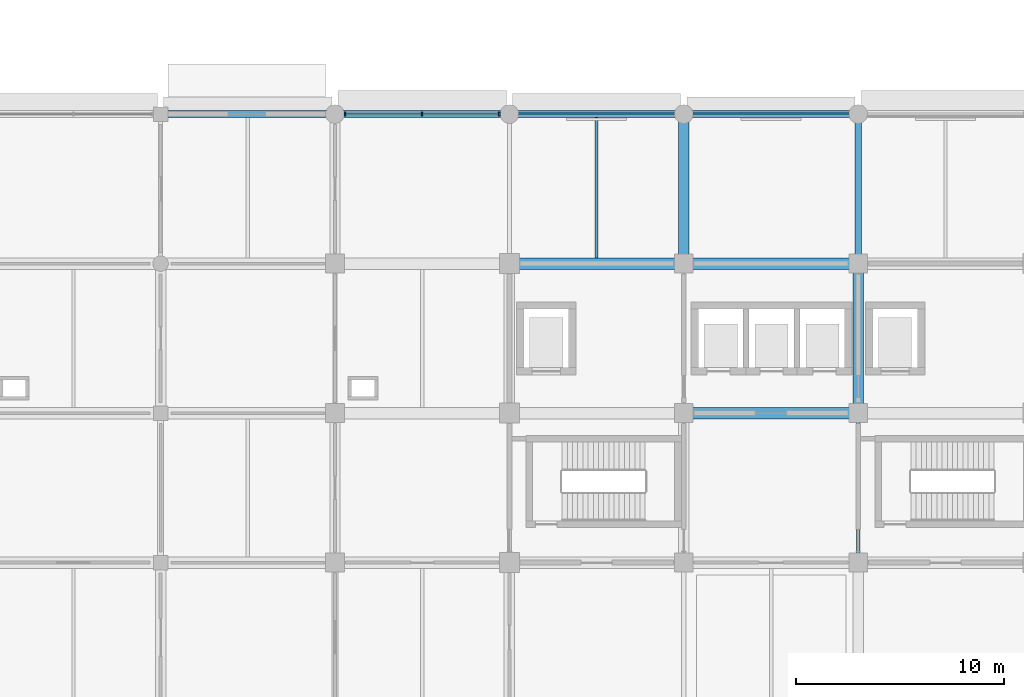
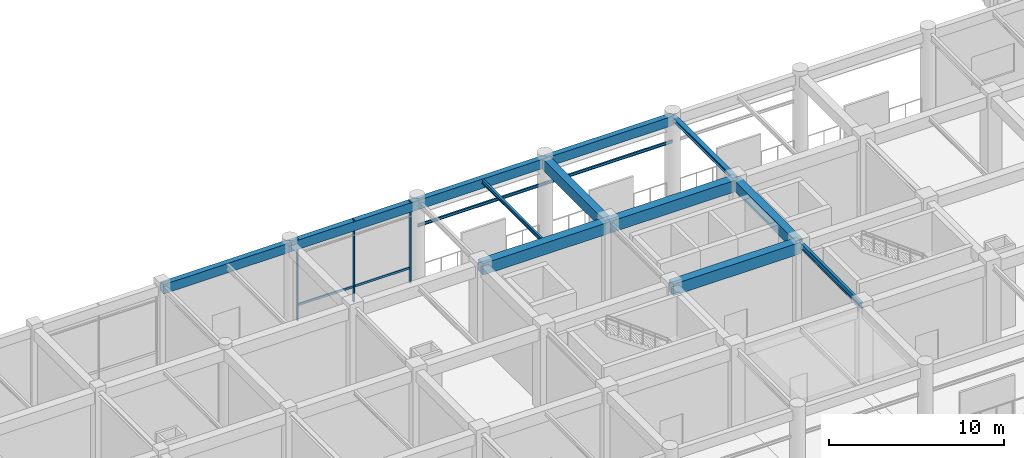
# One storey, part 7 of 39: 14 beams, 5 members, 1 element without a shape of its own.
"""IFC4 building model written with IfcOpenShell, lengths in metres."""

from ifc_helpers import new_model, si_unit, derived_unit, direction, frame, origin, origin_2d, place, context, subcontext, project, spatial, rectangle, i_section, extrude, material, material_profile, profile_set, type_object, element, aggregate, save


model = new_model("IFC4")

# Units and contexts
model_context = context("Model", 3, precision=1e-05, world=origin(), true_north=direction((0.0, 1.0)))
body_context = subcontext(model_context, "Body", "Model", "MODEL_VIEW")
ifc_project = project(units=[si_unit("LENGTHUNIT", "METRE"), si_unit("AREAUNIT", "SQUARE_METRE"), si_unit("VOLUMEUNIT", "CUBIC_METRE"), si_unit("PLANEANGLEUNIT", "RADIAN"), si_unit("MASSUNIT", "GRAM", prefix="KILO"), derived_unit("THERMALTRANSMITTANCEUNIT", [(si_unit("MASSUNIT", "GRAM", prefix="KILO"), 1), (si_unit("TIMEUNIT", "SECOND"), -3), (si_unit("THERMODYNAMICTEMPERATUREUNIT", "KELVIN"), -1)])], contexts=[model_context])

# Site, building, storey
site_placement = place(None, origin())
site = spatial("IfcSite", under=ifc_project, at=site_placement, CompositionType="ELEMENT")
building_placement = place(site_placement, origin())
building = spatial("IfcBuilding", under=site, at=building_placement, Name="Veldstrom Oceanarium and Marine Research Institute", CompositionType="ELEMENT")
storey_placement = place(building_placement, origin())
storey = spatial("IfcBuildingStorey", under=building, at=storey_placement, Name="L00", CompositionType="ELEMENT", Elevation=0.0)

# Curtain wall, members
ifc_material_1 = material(Name="Anodised Aluminium Framing", Category="aluminium")
curtain_wall_type = type_object("IfcCurtainWallType", Name="ARC-CW-CW01", PredefinedType="USERDEFINED", material=ifc_material_1)
curtain_wall_placement = place(storey_placement, origin())
curtain_wall = element("IfcCurtainWall", 1, at=curtain_wall_placement, inside=storey, type_object=curtain_wall_type, Name="Curtain Wall CW01 CW-L00-002", ObjectType="Curtain wall", PredefinedType="USERDEFINED")
ifc_material_2 = material(Name="Anodised Aluminium Framing", Category="aluminium")
ifc_material_profile_1 = material_profile(ifc_material_2, rectangle(XDim=0.074951171875, YDim=0.179931640625, at=origin_2d()), Name="ALU-MUL-75x180")
ifc_profile_set_1 = profile_set([ifc_material_profile_1], Name="Anodised Aluminium Framing")
member_type_1 = type_object("IfcMemberType", Name="ARC-MUL-ML1", PredefinedType="MULLION", material=ifc_profile_set_1)
member_1_placement = place(storey_placement, frame((67.68994140625, 72.0, 0.0), z_axis=(0.0, 0.0, 1.0), x_axis=(1.0, 0.0, 0.0)))
member_1 = element("IfcMember", 2, at=member_1_placement, type_object=member_type_1, Name="Curtain Wall Mullion CW-L00-002-MUL-1", PredefinedType="MULLION", context=body_context, shape_type="SweptSolid", body=[
    extrude(rectangle(XDim=0.074951171875, YDim=0.179931640625, at=origin_2d()), origin(), (0.0, 0.0, 1.0), 5.675048828125),
])
member_2_placement = place(storey_placement, frame((71.39990234375, 72.0, 0.0), z_axis=(0.0, 0.0, 1.0), x_axis=(1.0, 0.0, 0.0)))
member_2 = element("IfcMember", 3, at=member_2_placement, type_object=member_type_1, Name="Curtain Wall Mullion CW-L00-002-MUL-2", PredefinedType="MULLION", context=body_context, shape_type="SweptSolid", body=[
    extrude(rectangle(XDim=0.074951171875, YDim=0.179931640625, at=origin_2d()), origin(), (0.0, 0.0, 1.0), 5.675048828125),
])
member_3_placement = place(storey_placement, frame((75.110107421875, 72.0, 0.0), z_axis=(0.0, 0.0, 1.0), x_axis=(1.0, 0.0, 0.0)))
member_3 = element("IfcMember", 4, at=member_3_placement, type_object=member_type_1, Name="Curtain Wall Mullion CW-L00-002-MUL-3", PredefinedType="MULLION", context=body_context, shape_type="SweptSolid", body=[
    extrude(rectangle(XDim=0.074951171875, YDim=0.179931640625, at=origin_2d()), origin(), (0.0, 0.0, 1.0), 5.675048828125),
])
ifc_material_3 = material(Name="Anodised Aluminium Framing", Category="aluminium")
ifc_material_profile_2 = material_profile(ifc_material_3, rectangle(XDim=0.074951171875, YDim=0.14990234375, at=origin_2d()), Name="ALU-TRN-75x150")
ifc_profile_set_2 = profile_set([ifc_material_profile_2], Name="Anodised Aluminium Framing")
member_type_2 = type_object("IfcMemberType", Name="ARC-TRN-TR1", PredefinedType="USERDEFINED", material=ifc_profile_set_2)
member_4_placement = place(storey_placement, frame((67.72998046875, 72.0, 1.050048828125), z_axis=(1.0, 0.0, 0.0), x_axis=(0.0, 1.0, 0.0)))
member_4 = element("IfcMember", 5, at=member_4_placement, type_object=member_type_2, Name="Curtain Wall Transom CW-L00-002-TRN-1", ObjectType="Transom", PredefinedType="USERDEFINED", context=body_context, shape_type="SweptSolid", body=[
    extrude(rectangle(XDim=0.074951171875, YDim=0.14990234375, at=origin_2d()), origin(), (0.0, 0.0, 1.0), 3.630126953125),
])
member_5_placement = place(storey_placement, frame((71.43994140625, 72.0, 1.050048828125), z_axis=(1.0, 0.0, 0.0), x_axis=(0.0, 1.0, 0.0)))
member_5 = element("IfcMember", 6, at=member_5_placement, type_object=member_type_2, Name="Curtain Wall Transom CW-L00-002-TRN-2", ObjectType="Transom", PredefinedType="USERDEFINED", context=body_context, shape_type="SweptSolid", body=[
    extrude(rectangle(XDim=0.074951171875, YDim=0.14990234375, at=origin_2d()), origin(), (0.0, 0.0, 1.0), 3.630126953125),
])
aggregate(curtain_wall, [member_1, member_2, member_3, member_4, member_5])

# Beams
ifc_material_4 = material(Name="Concrete C40/50", Category="concrete")
ifc_material_profile_3 = material_profile(ifc_material_4, rectangle(XDim=0.550048828125, YDim=0.800048828125, at=origin_2d()), Name="RC-BM-550x800")
ifc_profile_set_3 = profile_set([ifc_material_profile_3], Name="Concrete C40/50")
beam_type_1 = type_object("IfcBeamType", Name="STR-BM-B02", PredefinedType="BEAM", material=ifc_profile_set_3)
for number, where, z_axis, x_axis, name in (
    (7, (75.60009765625, 64.800048828125, 5.27001953125), (1.0, 0.0, 0.0), (0.0, 1.0, 0.0), "Primary Beam B02 L00-0805"),
    (8, (84.0, 57.60009765625, 5.27001953125), (1.0, 0.0, 0.0), (0.0, 1.0, 0.0), "Primary Beam B02 L00-0809"),
    (9, (84.0, 64.800048828125, 5.27001953125), (1.0, 0.0, 0.0), (0.0, 1.0, 0.0), "Primary Beam B02 L00-0810"),
):
    element("IfcBeam", number, at=place(storey_placement, frame(where, z_axis=z_axis, x_axis=x_axis)), inside=storey, type_object=beam_type_1, Name=name, PredefinedType="BEAM", context=body_context, shape_type="SweptSolid", body=[
        extrude(rectangle(XDim=0.550048828125, YDim=0.800048828125, at=origin_2d()), origin(), (0.0, 0.0, 1.0), 8.39990234375),
    ])
ifc_material_5 = material(Name="Concrete C40/50", Category="concrete")
ifc_material_profile_4 = material_profile(ifc_material_5, rectangle(XDim=0.5, YDim=0.75, at=origin_2d()), Name="RC-BM-500x750")
ifc_profile_set_4 = profile_set([ifc_material_profile_4], Name="Concrete C40/50")
beam_type_2 = type_object("IfcBeamType", Name="STR-BM-B03", PredefinedType="BEAM", material=ifc_profile_set_4)
for number, where, z_axis, x_axis, name in (
    (10, (84.0, 64.800048828125, 5.294921875), (0.0, 1.0, 0.0), (-1.0, 0.0, 0.0), "Primary Beam B03 L00-0982"),
    (11, (92.39990234375, 57.60009765625, 5.294921875), (0.0, 1.0, 0.0), (-1.0, 0.0, 0.0), "Primary Beam B03 L00-0985"),
):
    element("IfcBeam", number, at=place(storey_placement, frame(where, z_axis=z_axis, x_axis=x_axis)), inside=storey, type_object=beam_type_2, Name=name, PredefinedType="BEAM", context=body_context, shape_type="SweptSolid", body=[
        extrude(rectangle(XDim=0.5, YDim=0.75, at=origin_2d()), origin(), (0.0, 0.0, 1.0), 7.199951171875),
    ])
ifc_material_6 = material(Name="Steel S355JR", Category="steel")
ifc_material_profile_5 = material_profile(ifc_material_6, i_section(OverallWidth=0.300048828125, OverallDepth=0.2900390625, WebThickness=0.008544921875, FlangeThickness=0.013916015625, FilletRadius=0.027099609375, at=origin_2d()), Name="HEA 300")
ifc_profile_set_5 = profile_set([ifc_material_profile_5], Name="Steel S355JR")
beam_type_3 = type_object("IfcBeamType", Name="STR-BM-SB10", PredefinedType="BEAM", material=ifc_profile_set_5)
beam_1_placement = place(storey_placement, frame((92.39990234375, 64.800048828125, 5.52490234375), z_axis=(0.0, 1.0, 0.0), x_axis=(-1.0, 0.0, 0.0)))
element("IfcBeam", 12, at=beam_1_placement, inside=storey, type_object=beam_type_3, Name="Steel Tie Beam SB10 L00-0986", PredefinedType="BEAM", context=body_context, shape_type="SweptSolid", body=[
    extrude(i_section(OverallWidth=0.300048828125, OverallDepth=0.2900390625, WebThickness=0.008544921875, FlangeThickness=0.013916015625, FilletRadius=0.027099609375, at=origin_2d()), origin(), (0.0, 0.0, 1.0), 7.199951171875),
])
ifc_material_7 = material(Name="Steel S355JR", Category="steel")
ifc_material_profile_6 = material_profile(ifc_material_7, i_section(OverallWidth=0.179931640625, OverallDepth=0.39990234375, WebThickness=0.008544921875, FlangeThickness=0.013427734375, FilletRadius=0.02099609375, at=origin_2d()), Name="IPE 400")
ifc_profile_set_6 = profile_set([ifc_material_profile_6], Name="Steel S355JR")
beam_type_4 = type_object("IfcBeamType", Name="STR-BM-SB8", PredefinedType="BEAM", material=ifc_profile_set_6)
beam_2_placement = place(storey_placement, frame((92.39990234375, 50.39990234375, 5.469970703125), z_axis=(0.0, 1.0, 0.0), x_axis=(-1.0, 0.0, 0.0)))
element("IfcBeam", 13, at=beam_2_placement, inside=storey, type_object=beam_type_4, Name="Steel Tie Beam SB8 L00-0984", PredefinedType="BEAM", context=body_context, shape_type="SweptSolid", body=[
    extrude(i_section(OverallWidth=0.179931640625, OverallDepth=0.39990234375, WebThickness=0.008544921875, FlangeThickness=0.013427734375, FilletRadius=0.02099609375, at=origin_2d()), origin(), (0.0, 0.0, 1.0), 7.2001953125),
])
ifc_material_8 = material(Name="Steel S355JR", Category="steel")
ifc_material_profile_7 = material_profile(ifc_material_8, i_section(OverallWidth=0.135009765625, OverallDepth=0.27001953125, WebThickness=0.006591796875, FlangeThickness=0.01025390625, FilletRadius=0.014892578125, at=origin_2d()), Name="IPE 270")
ifc_profile_set_7 = profile_set([ifc_material_profile_7], Name="Steel S355JR")
beam_type_5 = type_object("IfcBeamType", Name="STR-JST-SJ3", PredefinedType="JOIST", material=ifc_profile_set_7)
beam_3_placement = place(storey_placement, frame((79.800048828125, 65.074951171875, 5.534912109375), z_axis=(0.0, 1.0, 0.0), x_axis=(-1.0, 0.0, 0.0)))
element("IfcBeam", 14, at=beam_3_placement, inside=storey, type_object=beam_type_5, Name="Secondary Joist SJ3 L00-1098", PredefinedType="JOIST", context=body_context, shape_type="SweptSolid", body=[
    extrude(i_section(OverallWidth=0.135009765625, OverallDepth=0.27001953125, WebThickness=0.006591796875, FlangeThickness=0.01025390625, FilletRadius=0.014892578125, at=origin_2d()), origin(), (0.0, 0.0, 1.0), 6.75),
])
ifc_material_9 = material(Name="Steel S355JR", Category="steel")
ifc_material_profile_8 = material_profile(ifc_material_9, i_section(OverallWidth=0.10009765625, OverallDepth=0.199951171875, WebThickness=0.005615234375, FlangeThickness=0.008544921875, FilletRadius=0.011962890625, at=origin_2d()), Name="IPE 200")
ifc_profile_set_8 = profile_set([ifc_material_profile_8], Name="Steel S355JR")
beam_type_6 = type_object("IfcBeamType", Name="STR-LNT-LN3", PredefinedType="LINTEL", material=ifc_profile_set_8)
for number, where, z_axis, x_axis, name in (
    (15, (75.60009765625, 72.0, 3.800048828125), (1.0, 0.0, 0.0), (0.0, 1.0, 0.0), "Portal Lintel LN3-08"),
    (16, (84.0, 72.0, 3.800048828125), (1.0, 0.0, 0.0), (0.0, 1.0, 0.0), "Portal Lintel LN3-09"),
):
    element("IfcBeam", number, at=place(storey_placement, frame(where, z_axis=z_axis, x_axis=x_axis)), inside=storey, type_object=beam_type_6, Name=name, PredefinedType="LINTEL", context=body_context, shape_type="SweptSolid", body=[
        extrude(i_section(OverallWidth=0.10009765625, OverallDepth=0.199951171875, WebThickness=0.005615234375, FlangeThickness=0.008544921875, FilletRadius=0.011962890625, at=origin_2d()), origin(), (0.0, 0.0, 1.0), 8.39990234375),
    ])
ifc_material_10 = material(Name="Concrete C40/50", Category="concrete")
ifc_material_profile_9 = material_profile(ifc_material_10, rectangle(XDim=0.35009765625, YDim=0.64990234375, at=origin_2d()), Name="RC-SPN-350x650")
ifc_profile_set_9 = profile_set([ifc_material_profile_9], Name="Concrete C40/50")
beam_type_7 = type_object("IfcBeamType", Name="STR-SPN-SP1", PredefinedType="SPANDREL", material=ifc_profile_set_9)
beam_4_placement = place(storey_placement, frame((58.800048828125, 72.0, 5.344970703125), z_axis=(1.0, 0.0, 0.0), x_axis=(0.0, 1.0, 0.0)))
element("IfcBeam", 17, at=beam_4_placement, inside=storey, type_object=beam_type_7, Name="Perimeter Spandrel SPB1 L00-0796", PredefinedType="SPANDREL", context=body_context, shape_type="SweptSolid", body=[
    extrude(rectangle(XDim=0.35009765625, YDim=0.64990234375, at=origin_2d()), origin(), (0.0, 0.0, 1.0), 8.39990234375),
])
beam_5_placement = place(storey_placement, frame((67.199951171875, 72.0, 5.344970703125), z_axis=(1.0, 0.0, 0.0), x_axis=(0.0, 1.0, 0.0)))
element("IfcBeam", 18, at=beam_5_placement, inside=storey, type_object=beam_type_7, Name="Perimeter Spandrel SPB1 L00-0801", PredefinedType="SPANDREL", context=body_context, shape_type="SweptSolid", body=[
    extrude(rectangle(XDim=0.35009765625, YDim=0.64990234375, at=origin_2d()), origin(), (0.0, 0.0, 1.0), 8.400146484375),
])
for number, where, z_axis, x_axis, name in (
    (19, (75.60009765625, 72.0, 5.344970703125), (1.0, 0.0, 0.0), (0.0, 1.0, 0.0), "Perimeter Spandrel SPB1 L00-0806"),
    (20, (84.0, 72.0, 5.344970703125), (1.0, 0.0, 0.0), (0.0, 1.0, 0.0), "Perimeter Spandrel SPB1 L00-0811"),
):
    element("IfcBeam", number, at=place(storey_placement, frame(where, z_axis=z_axis, x_axis=x_axis)), inside=storey, type_object=beam_type_7, Name=name, PredefinedType="SPANDREL", context=body_context, shape_type="SweptSolid", body=[
        extrude(rectangle(XDim=0.35009765625, YDim=0.64990234375, at=origin_2d()), origin(), (0.0, 0.0, 1.0), 8.39990234375),
    ])

save(model, "model.ifc")
